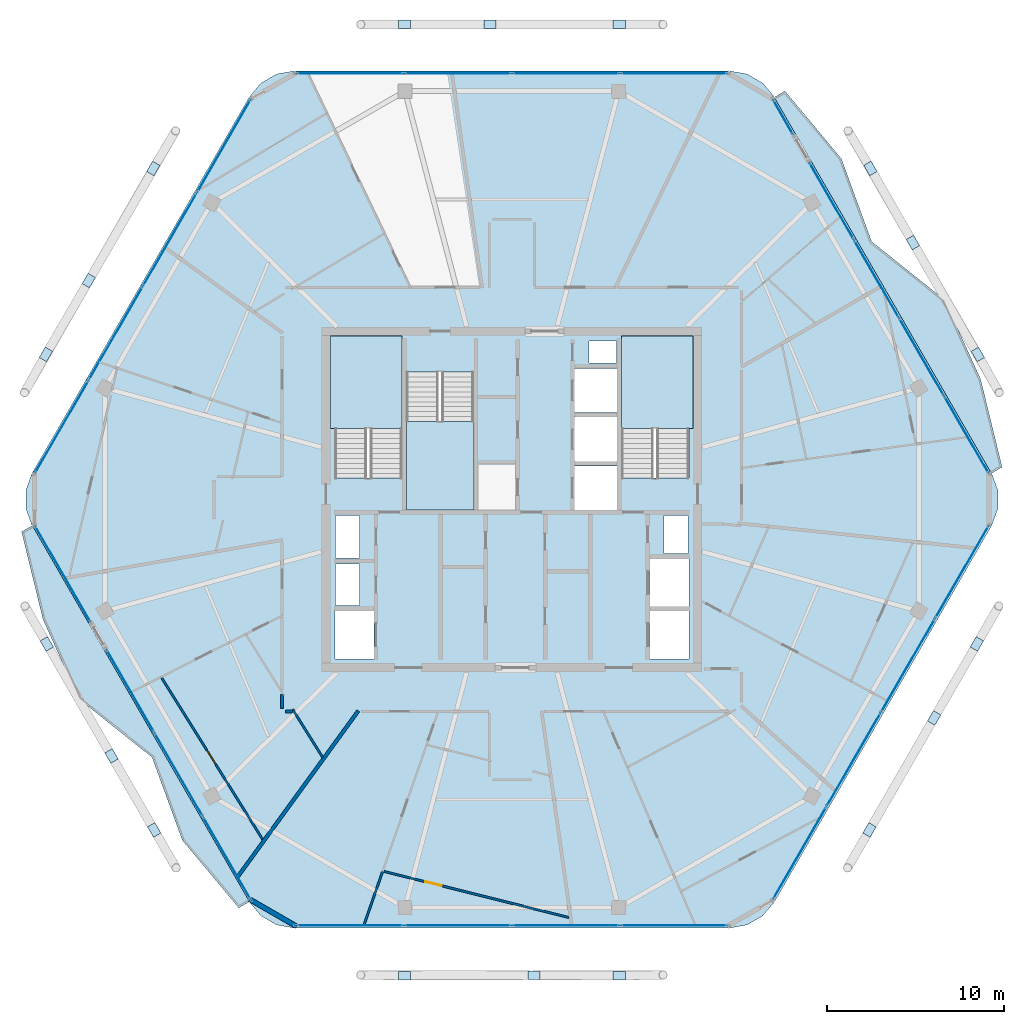
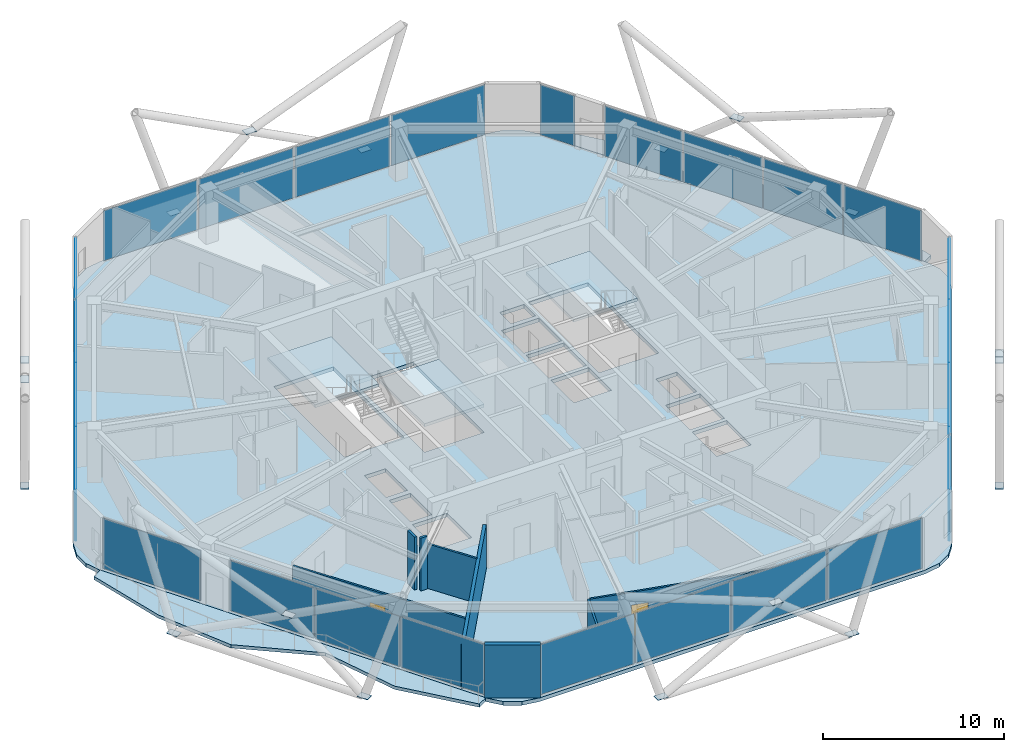
# One storey, part 16 of 24: 43 plates, 8 walls, 6 slabs, 2 doors, 2 openings, 11 elements without a shape of their own.
"""IFC4 building model written with IfcOpenShell, lengths in metres."""

from ifc_helpers import new_model, si_unit, direction, frame, frame_2d, origin, origin_2d, place, context, subcontext, project, spatial, polyline, rectangle, outline, extrude, material, layer, layer_set, type_object, element, fill, aggregate, save


model = new_model("IFC4")

# Units and contexts
model_context = context("Model", 3, precision=1e-05, world=origin(), true_north=direction((0.0, 1.0)))
body_context = subcontext(model_context, "Body", "Model", "MODEL_VIEW")
ifc_project = project(units=[si_unit("LENGTHUNIT", "METRE"), si_unit("AREAUNIT", "SQUARE_METRE"), si_unit("VOLUMEUNIT", "CUBIC_METRE"), si_unit("PLANEANGLEUNIT", "RADIAN"), si_unit("MASSUNIT", "GRAM", prefix="KILO")], contexts=[model_context])

# Site, building, storey
site_placement = place(None, origin())
site = spatial("IfcSite", under=ifc_project, at=site_placement, CompositionType="ELEMENT")
building_placement = place(site_placement, origin())
building = spatial("IfcBuilding", under=site, at=building_placement, Name="Zuhravey Tower", CompositionType="ELEMENT")
storey_placement = place(building_placement, frame((0.0, 0.0, 308.199951171875)))
storey = spatial("IfcBuildingStorey", under=building, at=storey_placement, Name="L78", CompositionType="ELEMENT", Elevation=308.199951171875)

# Plates
ifc_material_1 = material(Name="Steel SM460", Category="steel")
ifc_layer_1 = layer(ifc_material_1, 0.028076171875)
ifc_layer_set_1 = layer_set([ifc_layer_1], Name="Steel SM460")
plate_type_1 = type_object("IfcPlateType", Name="Exoskeleton Zone 4 Node Plate ND4", PredefinedType="SHEET", material=ifc_layer_set_1)
for number, where, z_axis, x_axis, name in (
    (1, (62.32470703125, 40.1923828125, -0.47802734375), (0.0, 0.0, 1.0), (-0.5, 0.866025403784, 0.0), "L78 Exoskeleton Node Gusset L78-01"),
    (2, (56.257080078125, 50.70166015625, -0.47802734375), (0.0, 0.0, 1.0), (-0.5, 0.866025403784, 0.0), "L78 Exoskeleton Node Gusset L78-02"),
    (3, (42.0673828125, 58.833984375, -0.47802734375), (0.0, 0.0, 1.0), (-1.0, 0.0, 0.0), "L78 Exoskeleton Node Gusset L78-03"),
    (4, (29.9326171875, 58.833984375, -0.47802734375), (0.0, 0.0, 1.0), (-1.0, 0.0, 0.0), "L78 Exoskeleton Node Gusset L78-04"),
    (5, (15.742919921875, 50.70166015625, -0.47802734375), (0.0, 0.0, 1.0), (-0.5, -0.866025403784, 0.0), "L78 Exoskeleton Node Gusset L78-05"),
    (6, (9.67529296875, 40.1923828125, -0.47802734375), (0.0, 0.0, 1.0), (-0.5, -0.866025403784, 0.0), "L78 Exoskeleton Node Gusset L78-06"),
    (7, (9.727294921875, 23.83740234375, -0.47802734375), (0.0, 0.0, 1.0), (0.5, -0.866025403784, 0.0), "L78 Exoskeleton Node Gusset L78-07"),
    (8, (15.794677734375, 13.328369140625, -0.47802734375), (0.0, 0.0, 1.0), (0.5, -0.866025403784, 0.0), "L78 Exoskeleton Node Gusset L78-08"),
    (9, (29.9326171875, 5.10595703125, -0.47802734375), (0.0, 0.0, 1.0), (1.0, 0.0, 0.0), "L78 Exoskeleton Node Gusset L78-09"),
    (10, (42.0673828125, 5.10595703125, -0.47802734375), (0.0, 0.0, 1.0), (1.0, 0.0, 0.0), "L78 Exoskeleton Node Gusset L78-10"),
    (11, (56.205322265625, 13.328369140625, -0.47802734375), (0.0, 0.0, 1.0), (0.5, 0.866025403784, 0.0), "L78 Exoskeleton Node Gusset L78-11"),
    (12, (62.272705078125, 23.83740234375, -0.47802734375), (0.0, 0.0, 1.0), (0.5, 0.866025403784, 0.0), "L78 Exoskeleton Node Gusset L78-12"),
    (13, (58.657470703125, 46.514404296875, 3.32177734375), (0.0, 0.0, 1.0), (-0.5, 0.866025403784, 0.0), "L78 Face 1 Diagrid X-Crossing Plate"),
    (14, (34.7587890625, 58.833984375, 3.32177734375), (0.0, 0.0, 1.0), (-1.0, 0.0, 0.0), "L78 Face 2 Diagrid X-Crossing Plate"),
    (15, (12.1015625, 44.36474609375, 3.32177734375), (0.0, 0.0, 1.0), (-0.5, -0.866025403784, 0.0), "L78 Face 3 Diagrid X-Crossing Plate"),
    (16, (13.381591796875, 17.50830078125, 3.32177734375), (0.0, 0.0, 1.0), (0.5, -0.866025403784, 0.0), "L78 Face 4 Diagrid X-Crossing Plate"),
    (17, (37.2412109375, 5.120849609375, 3.32177734375), (0.0, 0.0, 1.0), (1.0, 0.0, 0.0), "L78 Face 5 Diagrid X-Crossing Plate"),
    (18, (59.859619140625, 19.65771484375, 3.32177734375), (0.0, 0.0, 1.0), (0.5, 0.866025403784, 0.0), "L78 Face 6 Diagrid X-Crossing Plate"),
):
    element("IfcPlate", number, at=place(storey_placement, frame(where, z_axis=z_axis, x_axis=x_axis)), inside=storey, type_object=plate_type_1, Name=name, PredefinedType="SHEET", context=body_context, shape_type="SweptSolid", body=[
        extrude(rectangle(XDim=0.679931640625, YDim=0.47998046875, at=origin_2d()), origin(), (0.0, 0.0, 1.0), 0.028076171875),
    ])

# Slabs
ifc_material_2 = material(Name="Concrete C50/60", Category="concrete")
ifc_layer_2 = layer(ifc_material_2, 0.25)
ifc_layer_set_2 = layer_set([ifc_layer_2], Name="Concrete C50/60")
slab_type_1 = type_object("IfcSlabType", Name="Residential Acoustic Slab 250", PredefinedType="FLOOR", material=ifc_layer_set_2)
slab_1_placement = place(storey_placement, frame((0.0, 0.0, -0.25)))
element("IfcSlab", 19, at=slab_1_placement, inside=storey, type_object=slab_type_1, Name="L78 Floor Slab FS25", PredefinedType="FLOOR", context=body_context, shape_type="SweptSolid", body=[
    extrude(outline(polyline([(63.1083984375, 30.52490234375), (63.458740234375, 31.48779296875), (63.458740234375, 32.51220703125), (63.1083984375, 33.47509765625), (50.83154296875, 54.739013671875), (50.173095703125, 55.52392578125), (49.285888671875, 56.0361328125), (48.27685546875, 56.214111328125), (23.72314453125, 56.214111328125), (22.714111328125, 56.0361328125), (21.826904296875, 55.52392578125), (21.16845703125, 54.739013671875), (8.8916015625, 33.47509765625), (8.541259765625, 32.51220703125), (8.541259765625, 31.48779296875), (8.8916015625, 30.52490234375), (21.16845703125, 9.260986328125), (21.826904296875, 8.47607421875), (22.714111328125, 7.9638671875), (23.72314453125, 7.785888671875), (48.27685546875, 7.785888671875), (49.285888671875, 7.9638671875), (50.173095703125, 8.47607421875), (50.83154296875, 9.260986328125), (63.1083984375, 30.52490234375)]), holes=[polyline([(29.800048828125, 33.20068359375), (29.800048828125, 41.0), (26.0, 41.0), (26.0, 33.20068359375), (29.800048828125, 33.20068359375)]), polyline([(46.0, 33.20068359375), (46.0, 41.0), (42.199951171875, 41.0), (42.199951171875, 33.20068359375), (46.0, 33.20068359375)]), polyline([(30.050048828125, 39.199462890625), (30.050048828125, 31.39990234375), (33.85009765625, 31.39990234375), (33.85009765625, 39.199462890625), (30.050048828125, 39.199462890625)]), polyline([(39.550048828125, 31.39990234375), (41.949951171875, 31.39990234375), (41.949951171875, 33.89990234375), (39.550048828125, 33.89990234375), (39.550048828125, 31.39990234375)]), polyline([(39.550048828125, 34.14990234375), (41.949951171875, 34.14990234375), (41.949951171875, 36.64990234375), (39.550048828125, 36.64990234375), (39.550048828125, 34.14990234375)]), polyline([(39.550048828125, 36.89990234375), (41.949951171875, 36.89990234375), (41.949951171875, 39.39990234375), (39.550048828125, 39.39990234375), (39.550048828125, 36.89990234375)]), polyline([(26.0, 23.0), (28.199951171875, 23.0), (28.199951171875, 25.699951171875), (26.0, 25.699951171875), (26.0, 23.0)]), polyline([(43.800048828125, 23.0), (46.0, 23.0), (46.0, 25.699951171875), (43.800048828125, 25.699951171875), (43.800048828125, 23.0)]), polyline([(43.800048828125, 25.949951171875), (46.0, 25.949951171875), (46.0, 28.64990234375), (43.800048828125, 28.64990234375), (43.800048828125, 25.949951171875)]), polyline([(26.050048828125, 26.0), (27.39990234375, 26.0), (27.39990234375, 28.35009765625), (26.050048828125, 28.35009765625), (26.050048828125, 26.0)]), polyline([(26.050048828125, 28.699951171875), (27.39990234375, 28.699951171875), (27.39990234375, 31.10009765625), (26.050048828125, 31.10009765625), (26.050048828125, 28.699951171875)]), polyline([(44.60009765625, 28.949951171875), (45.949951171875, 28.949951171875), (45.949951171875, 31.10009765625), (44.60009765625, 31.10009765625), (44.60009765625, 28.949951171875)]), polyline([(40.35009765625, 39.699951171875), (41.89990234375, 39.699951171875), (41.89990234375, 40.949951171875), (40.35009765625, 40.949951171875), (40.35009765625, 39.699951171875)])]), origin(), (0.0, 0.0, 1.0), 0.25),
])
ifc_material_3 = material(Name="Concrete C40/50", Category="concrete")
ifc_layer_3 = layer(ifc_material_3, 0.219970703125)
ifc_layer_set_3 = layer_set([ifc_layer_3], Name="Concrete C40/50")
slab_type_2 = type_object("IfcSlabType", Name="Sinusoidal Residential Wave Balcony 220", PredefinedType="FLOOR", material=ifc_layer_set_3)
slab_2_placement = place(storey_placement, frame((0.0, 0.0, -0.219970703125)))
element("IfcSlab", 20, at=slab_2_placement, inside=storey, type_object=slab_type_2, Name="L78 Face 1 Wave Balcony WB22", PredefinedType="FLOOR", context=body_context, shape_type="SweptSolid", body=[
    extrude(outline(polyline([(63.091064453125, 33.47509765625), (50.822998046875, 54.72412109375), (51.42919921875, 55.07421875), (54.617919921875, 51.24853515625), (56.323974609375, 46.567138671875), (60.446533203125, 43.281005859375), (62.4833984375, 38.79052734375), (63.697265625, 33.824951171875), (63.091064453125, 33.47509765625)])), origin(), (0.0, 0.0, 1.0), 0.219970703125),
])
slab_3_placement = place(storey_placement, frame((0.0, 0.0, -0.219970703125)))
element("IfcSlab", 21, at=slab_3_placement, inside=storey, type_object=slab_type_2, Name="L78 Face 4 Wave Balcony WB22", PredefinedType="FLOOR", context=body_context, shape_type="SweptSolid", body=[
    extrude(outline(polyline([(8.908935546875, 30.52490234375), (21.177001953125, 9.27587890625), (20.57080078125, 8.92578125), (17.382080078125, 12.75146484375), (15.676025390625, 17.432861328125), (11.553466796875, 20.718994140625), (9.5166015625, 25.20947265625), (8.302734375, 30.175048828125), (8.908935546875, 30.52490234375)])), origin(), (0.0, 0.0, 1.0), 0.219970703125),
])

# Stair, slab
stair_type = type_object("IfcStairType", Name="Housing Storey Stair Assembly 3800", PredefinedType="HALF_TURN_STAIR", material=ifc_material_3)
stair_1_placement = place(storey_placement, origin())
stair_1 = element("IfcStair", 22, at=stair_1_placement, inside=storey, type_object=stair_type, Name="L78 Core Exit Stair ST1", PredefinedType="HALF_TURN_STAIR")
ifc_layer_4 = layer(ifc_material_3, 0.199951171875)
ifc_layer_set_4 = layer_set([ifc_layer_4], Name="Concrete C40/50")
slab_type_3 = type_object("IfcSlabType", Name="Stair Landing Slab 200", PredefinedType="LANDING", material=ifc_layer_set_4)
slab_4_placement = place(storey_placement, frame((0.0, 0.0, 1.699951171875)))
slab_4 = element("IfcSlab", 23, at=slab_4_placement, type_object=slab_type_3, Name="ST1 landing 1", PredefinedType="LANDING", context=body_context, shape_type="SweptSolid", body=[
    extrude(outline(polyline([(29.800048828125, 36.0), (29.800048828125, 41.248046875), (25.751953125, 41.248046875), (25.751953125, 36.0), (29.800048828125, 36.0)])), origin(), (0.0, 0.0, 1.0), 0.2001953125),
])
aggregate(stair_1, [slab_4])

stair_2_placement = place(storey_placement, origin())
stair_2 = element("IfcStair", 24, at=stair_2_placement, inside=storey, type_object=stair_type, Name="L78 Core Exit Stair ST2", PredefinedType="HALF_TURN_STAIR")
slab_5_placement = place(storey_placement, frame((0.0, 0.0, 1.699951171875)))
slab_5 = element("IfcSlab", 25, at=slab_5_placement, type_object=slab_type_3, Name="ST2 landing 1", PredefinedType="LANDING", context=body_context, shape_type="SweptSolid", body=[
    extrude(outline(polyline([(46.248046875, 36.0), (46.248046875, 41.248046875), (42.199951171875, 41.248046875), (42.199951171875, 36.0), (46.248046875, 36.0)])), origin(), (0.0, 0.0, 1.0), 0.2001953125),
])
aggregate(stair_2, [slab_5])

stair_3_placement = place(storey_placement, origin())
stair_3 = element("IfcStair", 26, at=stair_3_placement, inside=storey, type_object=stair_type, Name="L78 Core Exit Stair ST3", PredefinedType="HALF_TURN_STAIR")
slab_6_placement = place(storey_placement, frame((0.0, 0.0, 1.699951171875)))
slab_6 = element("IfcSlab", 27, at=slab_6_placement, type_object=slab_type_3, Name="ST3 landing 1", PredefinedType="LANDING", context=body_context, shape_type="SweptSolid", body=[
    extrude(outline(polyline([(30.050048828125, 36.39990234375), (30.050048828125, 31.39990234375), (33.85009765625, 31.39990234375), (33.85009765625, 36.39990234375), (30.050048828125, 36.39990234375)])), origin(), (0.0, 0.0, 1.0), 0.2001953125),
])
aggregate(stair_3, [slab_6])

# Curtain wall, plates
ifc_material_4 = material(Name="Thermally broken anodised aluminium", Category="aluminium")
curtain_wall_type = type_object("IfcCurtainWallType", Name="Zone 3-4 High-Rise Curtain Wall CW4", PredefinedType="NOTDEFINED", material=ifc_material_4)
curtain_wall_1_placement = place(storey_placement, origin())
curtain_wall_1 = element("IfcCurtainWall", 28, at=curtain_wall_1_placement, inside=storey, type_object=curtain_wall_type, Name="L78 CW4 CW-L78-F6-1", PredefinedType="NOTDEFINED")
ifc_material_5 = material(Name="Triple low-E insulated vision glass", Category="glass")
ifc_layer_5 = layer(ifc_material_5, 0.0419921875)
ifc_layer_set_5 = layer_set([ifc_layer_5], Name="Triple low-E insulated vision glass")
plate_type_2 = type_object("IfcPlateType", Name="Triple Low-E Vision Panel", PredefinedType="CURTAIN_PANEL", material=ifc_layer_set_5)
plate_1_placement = place(storey_placement, frame((61.42724609375, 27.89306640625, 0.090087890625), z_axis=(0.0, 0.0, 1.0), x_axis=(-0.49999981336, -0.866025511541, 0.0)))
plate_1 = element("IfcPlate", 29, at=plate_1_placement, type_object=plate_type_2, Name="CW4 panel 1.1", PredefinedType="CURTAIN_PANEL", context=body_context, shape_type="SweptSolid", body=[
    extrude(rectangle(XDim=5.984619140625, YDim=0.0419921875, at=origin_2d()), origin(), (0.0, 0.0, 1.0), 3.3701171875),
])
plate_2_placement = place(storey_placement, frame((58.378662109375, 22.61279296875, 0.090087890625), z_axis=(0.0, 0.0, 1.0), x_axis=(-0.49999981336, -0.866025511541, 0.0)))
plate_2 = element("IfcPlate", 30, at=plate_2_placement, type_object=plate_type_2, Name="CW4 panel 2.1", PredefinedType="CURTAIN_PANEL", context=body_context, shape_type="SweptSolid", body=[
    extrude(rectangle(XDim=6.029541015625, YDim=0.0419921875, at=origin_2d()), origin(), (0.0, 0.0, 1.0), 3.3701171875),
])
plate_3_placement = place(storey_placement, frame((55.31884765625, 17.31298828125, 0.090087890625), z_axis=(0.0, 0.0, 1.0), x_axis=(-0.49999981336, -0.866025511541, 0.0)))
plate_3 = element("IfcPlate", 31, at=plate_3_placement, type_object=plate_type_2, Name="CW4 panel 3.1", PredefinedType="CURTAIN_PANEL", context=body_context, shape_type="SweptSolid", body=[
    extrude(rectangle(XDim=6.029541015625, YDim=0.0419921875, at=origin_2d()), origin(), (0.0, 0.0, 1.0), 3.3701171875),
])
plate_4_placement = place(storey_placement, frame((52.270263671875, 12.03271484375, 0.090087890625), z_axis=(0.0, 0.0, 1.0), x_axis=(-0.49999981336, -0.866025511541, 0.0)))
plate_4 = element("IfcPlate", 32, at=plate_4_placement, type_object=plate_type_2, Name="CW4 panel 4.1", PredefinedType="CURTAIN_PANEL", context=body_context, shape_type="SweptSolid", body=[
    extrude(rectangle(XDim=5.984619140625, YDim=0.0419921875, at=origin_2d()), origin(), (0.0, 0.0, 1.0), 3.3701171875),
])
aggregate(curtain_wall_1, [plate_1, plate_2, plate_3, plate_4])

curtain_wall_2_placement = place(storey_placement, origin())
curtain_wall_2 = element("IfcCurtainWall", 33, at=curtain_wall_2_placement, inside=storey, type_object=curtain_wall_type, Name="L78 CW4 CW-L78-F5-1", PredefinedType="NOTDEFINED")
plate_5_placement = place(storey_placement, frame((45.156982421875, 7.92578125, 0.090087890625), z_axis=(0.0, 0.0, 1.0), x_axis=(-1.0, 0.0, 0.0)))
plate_5 = element("IfcPlate", 34, at=plate_5_placement, type_object=plate_type_2, Name="CW4 panel 1.1", PredefinedType="CURTAIN_PANEL", context=body_context, shape_type="SweptSolid", body=[
    extrude(rectangle(XDim=5.984619140625, YDim=0.0419921875, at=origin_2d()), origin(), (0.0, 0.0, 1.0), 3.3701171875),
])
plate_6_placement = place(storey_placement, frame((39.059814453125, 7.92578125, 0.090087890625), z_axis=(0.0, 0.0, 1.0), x_axis=(-1.0, 0.0, 0.0)))
plate_6 = element("IfcPlate", 35, at=plate_6_placement, type_object=plate_type_2, Name="CW4 panel 2.1", PredefinedType="CURTAIN_PANEL", context=body_context, shape_type="SweptSolid", body=[
    extrude(rectangle(XDim=6.029541015625, YDim=0.0419921875, at=origin_2d()), origin(), (0.0, 0.0, 1.0), 3.3701171875),
])
plate_7_placement = place(storey_placement, frame((32.940185546875, 7.92578125, 0.090087890625), z_axis=(0.0, 0.0, 1.0), x_axis=(-1.0, 0.0, 0.0)))
plate_7 = element("IfcPlate", 36, at=plate_7_placement, type_object=plate_type_2, Name="CW4 panel 3.1", PredefinedType="CURTAIN_PANEL", context=body_context, shape_type="SweptSolid", body=[
    extrude(rectangle(XDim=6.029541015625, YDim=0.0419921875, at=origin_2d()), origin(), (0.0, 0.0, 1.0), 3.3701171875),
])
plate_8_placement = place(storey_placement, frame((26.843017578125, 7.92578125, 0.090087890625), z_axis=(0.0, 0.0, 1.0), x_axis=(-1.0, 0.0, 0.0)))
plate_8 = element("IfcPlate", 37, at=plate_8_placement, type_object=plate_type_2, Name="CW4 panel 4.1", PredefinedType="CURTAIN_PANEL", context=body_context, shape_type="SweptSolid", body=[
    extrude(rectangle(XDim=5.984619140625, YDim=0.0419921875, at=origin_2d()), origin(), (0.0, 0.0, 1.0), 3.3701171875),
])
aggregate(curtain_wall_2, [plate_5, plate_6, plate_7, plate_8])

curtain_wall_3_placement = place(storey_placement, origin())
curtain_wall_3 = element("IfcCurtainWall", 38, at=curtain_wall_3_placement, inside=storey, type_object=curtain_wall_type, Name="L78 CW4 CW-L78-F4-1", PredefinedType="NOTDEFINED")
plate_9_placement = place(storey_placement, frame((19.893310546875, 11.74951171875, 0.090087890625), z_axis=(0.0, 0.0, 1.0), x_axis=(-0.49999874609, 0.866026127729, 0.0)))
plate_9 = element("IfcPlate", 39, at=plate_9_placement, type_object=plate_type_2, Name="CW4 panel 1.1", PredefinedType="CURTAIN_PANEL", context=body_context, shape_type="SweptSolid", body=[
    extrude(rectangle(XDim=5.330322265625, YDim=0.0419921875, at=origin_2d()), origin(), (0.0, 0.0, 1.0), 3.3701171875),
])
plate_10_placement = place(storey_placement, frame((17.171875, 16.463134765625, 0.090087890625), z_axis=(0.0, 0.0, 1.0), x_axis=(-0.49999874609, 0.866026127729, 0.0)))
plate_10 = element("IfcPlate", 40, at=plate_10_placement, type_object=plate_type_2, Name="CW4 panel 2.1", PredefinedType="CURTAIN_PANEL", context=body_context, shape_type="SweptSolid", body=[
    extrude(rectangle(XDim=5.375244140625, YDim=0.0419921875, at=origin_2d()), origin(), (0.0, 0.0, 1.0), 3.3701171875),
])
plate_11_placement = place(storey_placement, frame((14.450439453125, 21.1767578125, 0.090087890625), z_axis=(0.0, 0.0, 1.0), x_axis=(-0.49999874609, 0.866026127729, 0.0)))
plate_11 = element("IfcPlate", 41, at=plate_11_placement, type_object=plate_type_2, Name="CW4 panel 3.1", PredefinedType="CURTAIN_PANEL", context=body_context, shape_type="SweptSolid", body=[
    extrude(rectangle(XDim=5.330322265625, YDim=0.0419921875, at=origin_2d()), origin(), (0.0, 0.0, 1.0), 3.3701171875),
])
aggregate(curtain_wall_3, [plate_9, plate_10, plate_11])

# Curtain wall, plate
curtain_wall_4_placement = place(storey_placement, origin())
curtain_wall_4 = element("IfcCurtainWall", 42, at=curtain_wall_4_placement, inside=storey, type_object=curtain_wall_type, Name="L78 CW4 CW-L78-F4-2", PredefinedType="NOTDEFINED")
plate_12_placement = place(storey_placement, frame((10.627197265625, 27.798828125, 0.090087890625), z_axis=(0.0, 0.0, 1.0), x_axis=(-0.500006359787, 0.866021731929, 0.0)))
plate_12 = element("IfcPlate", 43, at=plate_12_placement, type_object=plate_type_2, Name="CW4 panel 1.1", PredefinedType="CURTAIN_PANEL", context=body_context, shape_type="SweptSolid", body=[
    extrude(rectangle(XDim=6.20263671875, YDim=0.0419921875, at=origin_2d()), origin(), (0.0, 0.0, 1.0), 3.3701171875),
])
aggregate(curtain_wall_4, [plate_12])

# Curtain wall, plates
curtain_wall_5_placement = place(storey_placement, origin())
curtain_wall_5 = element("IfcCurtainWall", 44, at=curtain_wall_5_placement, inside=storey, type_object=curtain_wall_type, Name="L78 CW4 CW-L78-F3-1", PredefinedType="NOTDEFINED")
plate_13_placement = place(storey_placement, frame((10.57275390625, 36.10693359375, 0.090087890625), z_axis=(0.0, 0.0, 1.0), x_axis=(0.49999981336, 0.866025511541, 0.0)))
plate_13 = element("IfcPlate", 45, at=plate_13_placement, type_object=plate_type_2, Name="CW4 panel 1.1", PredefinedType="CURTAIN_PANEL", context=body_context, shape_type="SweptSolid", body=[
    extrude(rectangle(XDim=5.984619140625, YDim=0.0419921875, at=origin_2d()), origin(), (0.0, 0.0, 1.0), 3.3701171875),
])
plate_14_placement = place(storey_placement, frame((13.621337890625, 41.38720703125, 0.090087890625), z_axis=(0.0, 0.0, 1.0), x_axis=(0.49999981336, 0.866025511541, 0.0)))
plate_14 = element("IfcPlate", 46, at=plate_14_placement, type_object=plate_type_2, Name="CW4 panel 2.1", PredefinedType="CURTAIN_PANEL", context=body_context, shape_type="SweptSolid", body=[
    extrude(rectangle(XDim=6.029541015625, YDim=0.0419921875, at=origin_2d()), origin(), (0.0, 0.0, 1.0), 3.3701171875),
])
plate_15_placement = place(storey_placement, frame((16.68115234375, 46.68701171875, 0.090087890625), z_axis=(0.0, 0.0, 1.0), x_axis=(0.49999981336, 0.866025511541, 0.0)))
plate_15 = element("IfcPlate", 47, at=plate_15_placement, type_object=plate_type_2, Name="CW4 panel 3.1", PredefinedType="CURTAIN_PANEL", context=body_context, shape_type="SweptSolid", body=[
    extrude(rectangle(XDim=6.029541015625, YDim=0.0419921875, at=origin_2d()), origin(), (0.0, 0.0, 1.0), 3.3701171875),
])
plate_16_placement = place(storey_placement, frame((19.729736328125, 51.96728515625, 0.090087890625), z_axis=(0.0, 0.0, 1.0), x_axis=(0.49999981336, 0.866025511541, 0.0)))
plate_16 = element("IfcPlate", 48, at=plate_16_placement, type_object=plate_type_2, Name="CW4 panel 4.1", PredefinedType="CURTAIN_PANEL", context=body_context, shape_type="SweptSolid", body=[
    extrude(rectangle(XDim=5.984619140625, YDim=0.0419921875, at=origin_2d()), origin(), (0.0, 0.0, 1.0), 3.3701171875),
])
aggregate(curtain_wall_5, [plate_13, plate_14, plate_15, plate_16])

curtain_wall_6_placement = place(storey_placement, origin())
curtain_wall_6 = element("IfcCurtainWall", 49, at=curtain_wall_6_placement, inside=storey, type_object=curtain_wall_type, Name="L78 CW4 CW-L78-F2-1", PredefinedType="NOTDEFINED")
plate_17_placement = place(storey_placement, frame((26.843017578125, 56.07421875, 0.090087890625), z_axis=(0.0, 0.0, 1.0), x_axis=(1.0, 0.0, 0.0)))
plate_17 = element("IfcPlate", 50, at=plate_17_placement, type_object=plate_type_2, Name="CW4 panel 1.1", PredefinedType="CURTAIN_PANEL", context=body_context, shape_type="SweptSolid", body=[
    extrude(rectangle(XDim=5.984619140625, YDim=0.0419921875, at=origin_2d()), origin(), (0.0, 0.0, 1.0), 3.3701171875),
])
plate_18_placement = place(storey_placement, frame((32.940185546875, 56.07421875, 0.090087890625), z_axis=(0.0, 0.0, 1.0), x_axis=(1.0, 0.0, 0.0)))
plate_18 = element("IfcPlate", 51, at=plate_18_placement, type_object=plate_type_2, Name="CW4 panel 2.1", PredefinedType="CURTAIN_PANEL", context=body_context, shape_type="SweptSolid", body=[
    extrude(rectangle(XDim=6.029541015625, YDim=0.0419921875, at=origin_2d()), origin(), (0.0, 0.0, 1.0), 3.3701171875),
])
plate_19_placement = place(storey_placement, frame((39.059814453125, 56.07421875, 0.090087890625), z_axis=(0.0, 0.0, 1.0), x_axis=(1.0, 0.0, 0.0)))
plate_19 = element("IfcPlate", 52, at=plate_19_placement, type_object=plate_type_2, Name="CW4 panel 3.1", PredefinedType="CURTAIN_PANEL", context=body_context, shape_type="SweptSolid", body=[
    extrude(rectangle(XDim=6.029541015625, YDim=0.0419921875, at=origin_2d()), origin(), (0.0, 0.0, 1.0), 3.3701171875),
])
plate_20_placement = place(storey_placement, frame((45.156982421875, 56.07421875, 0.090087890625), z_axis=(0.0, 0.0, 1.0), x_axis=(1.0, 0.0, 0.0)))
plate_20 = element("IfcPlate", 53, at=plate_20_placement, type_object=plate_type_2, Name="CW4 panel 4.1", PredefinedType="CURTAIN_PANEL", context=body_context, shape_type="SweptSolid", body=[
    extrude(rectangle(XDim=5.984619140625, YDim=0.0419921875, at=origin_2d()), origin(), (0.0, 0.0, 1.0), 3.3701171875),
])
aggregate(curtain_wall_6, [plate_17, plate_18, plate_19, plate_20])

# Curtain wall, plate
curtain_wall_7_placement = place(storey_placement, origin())
curtain_wall_7 = element("IfcCurtainWall", 54, at=curtain_wall_7_placement, inside=storey, type_object=curtain_wall_type, Name="L78 CW4 CW-L78-F1-1", PredefinedType="NOTDEFINED")
plate_21_placement = place(storey_placement, frame((51.330810546875, 53.59423828125, 0.090087890625), z_axis=(0.0, 0.0, 1.0), x_axis=(0.499986174659, -0.866033385702, 0.0)))
plate_21 = element("IfcPlate", 55, at=plate_21_placement, type_object=plate_type_2, Name="CW4 panel 1.1", PredefinedType="CURTAIN_PANEL", context=body_context, shape_type="SweptSolid", body=[
    extrude(rectangle(XDim=2.22705078125, YDim=0.0419921875, at=origin_2d()), origin(), (0.0, 0.0, 1.0), 3.3701171875),
])
aggregate(curtain_wall_7, [plate_21])

# Curtain wall, plates
curtain_wall_8_placement = place(storey_placement, origin())
curtain_wall_8 = element("IfcCurtainWall", 56, at=curtain_wall_8_placement, inside=storey, type_object=curtain_wall_type, Name="L78 CW4 CW-L78-F1-2", PredefinedType="NOTDEFINED")
plate_22_placement = place(storey_placement, frame((54.067138671875, 48.85498046875, 0.090087890625), z_axis=(0.0, 0.0, 1.0), x_axis=(0.500002616917, -0.866023892901, 0.0)))
plate_22 = element("IfcPlate", 57, at=plate_22_placement, type_object=plate_type_2, Name="CW4 panel 1.1", PredefinedType="CURTAIN_PANEL", context=body_context, shape_type="SweptSolid", body=[
    extrude(rectangle(XDim=4.957763671875, YDim=0.0419921875, at=origin_2d()), origin(), (0.0, 0.0, 1.0), 3.3701171875),
])
plate_23_placement = place(storey_placement, frame((56.602294921875, 44.4638671875, 0.090087890625), z_axis=(0.0, 0.0, 1.0), x_axis=(0.500002616917, -0.866023892901, 0.0)))
plate_23 = element("IfcPlate", 58, at=plate_23_placement, type_object=plate_type_2, Name="CW4 panel 2.1", PredefinedType="CURTAIN_PANEL", context=body_context, shape_type="SweptSolid", body=[
    extrude(rectangle(XDim=5.0029296875, YDim=0.0419921875, at=origin_2d()), origin(), (0.0, 0.0, 1.0), 3.3701171875),
])
plate_24_placement = place(storey_placement, frame((59.148681640625, 40.05322265625, 0.090087890625), z_axis=(0.0, 0.0, 1.0), x_axis=(0.500002616917, -0.866023892901, 0.0)))
plate_24 = element("IfcPlate", 59, at=plate_24_placement, type_object=plate_type_2, Name="CW4 panel 3.1", PredefinedType="CURTAIN_PANEL", context=body_context, shape_type="SweptSolid", body=[
    extrude(rectangle(XDim=5.0029296875, YDim=0.0419921875, at=origin_2d()), origin(), (0.0, 0.0, 1.0), 3.3701171875),
])
plate_25_placement = place(storey_placement, frame((61.683837890625, 35.662353515625, 0.090087890625), z_axis=(0.0, 0.0, 1.0), x_axis=(0.500002616917, -0.866023892901, 0.0)))
plate_25 = element("IfcPlate", 60, at=plate_25_placement, type_object=plate_type_2, Name="CW4 panel 4.1", PredefinedType="CURTAIN_PANEL", context=body_context, shape_type="SweptSolid", body=[
    extrude(rectangle(XDim=4.957763671875, YDim=0.0419921875, at=origin_2d()), origin(), (0.0, 0.0, 1.0), 3.3701171875),
])
aggregate(curtain_wall_8, [plate_22, plate_23, plate_24, plate_25])

# Walls
ifc_material_6 = material(Name="Gypsum fire-rated stud partition")
ifc_layer_6 = layer(ifc_material_6, 0.159912109375)
ifc_layer_set_6 = layer_set([ifc_layer_6], Name="Gypsum fire-rated stud partition")
wall_type_1 = type_object("IfcWallType", Name="Corridor Fire Partition 160", PredefinedType="PARTITIONING", material=ifc_layer_set_6)
wall_1_placement = place(storey_placement, frame((23.02001953125, 20.9677734375, 0.0), z_axis=(0.0, 0.0, 1.0), x_axis=(0.0, -1.0, 0.0)))
element("IfcWall", 61, at=wall_1_placement, inside=storey, type_object=wall_type_1, Name="L78 IW16 Partition 101", PredefinedType="PARTITIONING", context=body_context, shape_type="SweptSolid", body=[
    extrude(rectangle(XDim=0.767822265625, YDim=0.159912109375, at=frame_2d((0.3837890625, 0.0))), origin(), (0.0, 0.0, 1.0), 3.550048828125),
])
wall_2_placement = place(storey_placement, frame((23.199951171875, 20.02001953125, 0.0), z_axis=(0.0, 0.0, 1.0), x_axis=(1.0, 0.0, 0.0)))
element("IfcWall", 62, at=wall_2_placement, inside=storey, type_object=wall_type_1, Name="L78 IW16 Partition 102", PredefinedType="PARTITIONING", context=body_context, shape_type="SweptSolid", body=[
    extrude(rectangle(XDim=0.412353515625, YDim=0.159912109375, at=frame_2d((0.2060546875, 0.0))), origin(), (0.0, 0.0, 1.0), 3.550048828125),
])
ifc_material_7 = material(Name="Precast concrete C40/50", Category="concrete")
ifc_layer_7 = layer(ifc_material_7, 0.280029296875)
ifc_layer_set_7 = layer_set([ifc_layer_7], Name="Precast concrete C40/50")
wall_type_2 = type_object("IfcWallType", Name="Crown Architectural Wall 280", PredefinedType="SOLIDWALL", material=ifc_layer_set_7)
wall_3_placement = place(storey_placement, frame((23.843017578125, 7.87841796875, 0.0), z_axis=(0.0, 0.0, 1.0), x_axis=(-0.866023752521, 0.50000286006, 0.0)))
element("IfcWall", 63, at=wall_3_placement, inside=storey, type_object=wall_type_2, Name="L78 Rounded Corner Closure Wall EW28-04", PredefinedType="SOLIDWALL", context=body_context, shape_type="SweptSolid", body=[
    extrude(rectangle(XDim=3.06494140625, YDim=0.280029296875, at=frame_2d((1.532470703125, 0.0))), origin(), (0.0, 0.0, 1.0), 3.550048828125),
])
ifc_material_8 = material(Name="Gypsum double-stud party assembly")
ifc_layer_8 = layer(ifc_material_8, 0.199951171875)
ifc_layer_set_8 = layer_set([ifc_layer_8], Name="Gypsum double-stud party assembly")
wall_type_3 = type_object("IfcWallType", Name="Inter-Tenancy Party Wall 200", PredefinedType="PARTITIONING", material=ifc_layer_set_8)
wall_4_placement = place(storey_placement, frame((27.3251953125, 20.06005859375, 0.0), z_axis=(0.0, 0.0, 1.0), x_axis=(-0.587784737056, -0.809017368716, 0.0)))
element("IfcWall", 64, at=wall_4_placement, inside=storey, type_object=wall_type_3, Name="L78 IW20 Partition 074", PredefinedType="PARTITIONING", context=body_context, shape_type="SweptSolid", body=[
    extrude(rectangle(XDim=11.59375, YDim=0.199951171875, at=frame_2d((5.796875, 0.0))), origin(), (0.0, 0.0, 1.0), 2.969970703125),
])

# Wall, opening, door
ifc_material_9 = material(Name="Gypsum metal-stud partition")
ifc_layer_9 = layer(ifc_material_9, 0.1201171875)
ifc_layer_set_9 = layer_set([ifc_layer_9], Name="Gypsum metal-stud partition")
wall_type_4 = type_object("IfcWallType", Name="Unit Internal Partition 120", PredefinedType="PARTITIONING", material=ifc_layer_set_9)
wall_5_placement = place(storey_placement, frame((16.219970703125, 21.914794921875, 0.0), z_axis=(0.0, 0.0, 1.0), x_axis=(0.529909111027, -0.8480544405, 0.0)))
wall_5 = element("IfcWall", 65, at=wall_5_placement, inside=storey, type_object=wall_type_4, Name="L78 IW12 Partition 030", PredefinedType="PARTITIONING", context=body_context, shape_type="SweptSolid", body=[
    extrude(rectangle(XDim=10.74951171875, YDim=0.1201171875, at=frame_2d((5.374755859375, 0.0))), origin(), (0.0, 0.0, 1.0), 2.969970703125),
])
opening_1_placement = place(wall_5_placement, frame((4.8154296875, 0.0, 0.0)))
opening_1 = element("IfcOpeningElement", 66, at=opening_1_placement, cuts=wall_5, Name="Opening IND1", PredefinedType="OPENING", context=body_context, shape_type="SweptSolid", body=[
    extrude(rectangle(XDim=0.949951171875, YDim=2.10009765625, at=frame_2d((0.47509765625, 1.050048828125))), frame((0.0, 0.072021484375, 0.0), z_axis=(0.0, -1.0, 0.0), x_axis=(1.0, 0.0, 0.0)), (0.0, 0.0, 1.0), 0.14404296875),
])
ifc_material_10 = material(Name="Painted engineered timber leaf", Category="wood")
door_type = type_object("IfcDoorType", Name="Internal Room & Bedroom Door 950x2100", OperationType="NOTDEFINED", PredefinedType="DOOR", material=ifc_material_10)
door_1_placement = place(opening_1_placement, frame((0.949951171875, 0.0, 0.0), z_axis=(0.0, 0.0, 1.0), x_axis=(-1.0, 0.0, 0.0)))
door_1 = element("IfcDoor", 67, at=door_1_placement, inside=storey, type_object=door_type, Name="Apartment L78-03 Bedroom 1 Door", OperationType="SINGLE_SWING_LEFT", OverallHeight=2.10009765625, OverallWidth=0.949951171875, PredefinedType="DOOR", context=body_context, shape_type="SweptSolid", body=[
    extrude(rectangle(XDim=0.949951171875, YDim=2.10009765625, at=frame_2d((0.47509765625, 1.050048828125))), frame((0.0, 0.02490234375, 0.0), z_axis=(0.0, -1.0, 0.0), x_axis=(1.0, 0.0, 0.0)), (0.0, 0.0, 1.0), 0.050048828125),
])
fill(opening_1, door_1)

wall_6_placement = place(storey_placement, frame((28.770751953125, 10.986572265625, 0.0), z_axis=(0.0, 0.0, 1.0), x_axis=(0.970295811895, -0.241921552202, 0.0)))
wall_6 = element("IfcWall", 68, at=wall_6_placement, inside=storey, type_object=wall_type_4, Name="L78 IW12 Partition 034", PredefinedType="PARTITIONING", context=body_context, shape_type="SweptSolid", body=[
    extrude(rectangle(XDim=10.7587890625, YDim=0.1201171875, at=frame_2d((5.37939453125, 0.0))), origin(), (0.0, 0.0, 1.0), 2.969970703125),
])
opening_2_placement = place(wall_6_placement, frame((2.39990234375, 0.0, 0.0)))
opening_2 = element("IfcOpeningElement", 69, at=opening_2_placement, cuts=wall_6, Name="Opening IND1", PredefinedType="OPENING", context=body_context, shape_type="SweptSolid", body=[
    extrude(rectangle(XDim=0.949951171875, YDim=2.10009765625, at=frame_2d((0.47509765625, 1.050048828125))), frame((0.0, 0.072021484375, 0.0), z_axis=(0.0, -1.0, 0.0), x_axis=(1.0, 0.0, 0.0)), (0.0, 0.0, 1.0), 0.14404296875),
])
door_2_placement = place(opening_2_placement, frame((0.949951171875, 0.0, 0.0), z_axis=(0.0, 0.0, 1.0), x_axis=(-1.0, 0.0, 0.0)))
door_2 = element("IfcDoor", 70, at=door_2_placement, inside=storey, type_object=door_type, Name="Apartment L78-04 Bedroom 1 Door", OperationType="SINGLE_SWING_LEFT", OverallHeight=2.10009765625, OverallWidth=0.949951171875, PredefinedType="DOOR", context=body_context, shape_type="SweptSolid", body=[
    extrude(rectangle(XDim=0.949951171875, YDim=2.10009765625, at=frame_2d((0.47509765625, 1.050048828125))), frame((0.0, 0.02490234375, 0.0), z_axis=(0.0, -1.0, 0.0), x_axis=(1.0, 0.0, 0.0)), (0.0, 0.0, 1.0), 0.050048828125),
])
fill(opening_2, door_2)

# Walls
wall_7_placement = place(storey_placement, frame((23.617431640625, 20.139892578125, 0.0), z_axis=(0.0, 0.0, 1.0), x_axis=(0.529937667558, -0.848036596205, 0.0)))
element("IfcWall", 71, at=wall_7_placement, inside=storey, type_object=wall_type_4, Name="L78 IW12 Partition 073", PredefinedType="PARTITIONING", context=body_context, shape_type="SweptSolid", body=[
    extrude(rectangle(XDim=3.223388671875, YDim=0.1201171875, at=frame_2d((1.61181640625, 0.0))), origin(), (0.0, 0.0, 1.0), 3.0),
])
wall_8_placement = place(storey_placement, frame((28.6962890625, 10.9794921875, 0.0), z_axis=(0.0, 0.0, 1.0), x_axis=(-0.328219248411, -0.944601569432, 0.0)))
element("IfcWall", 72, at=wall_8_placement, inside=storey, type_object=wall_type_4, Name="L78 IW12 Partition 076", PredefinedType="PARTITIONING", context=body_context, shape_type="SweptSolid", body=[
    extrude(rectangle(XDim=3.236328125, YDim=0.1201171875, at=frame_2d((1.6181640625, 0.0))), origin(), (0.0, 0.0, 1.0), 2.969970703125),
])

save(model, "model.ifc")
